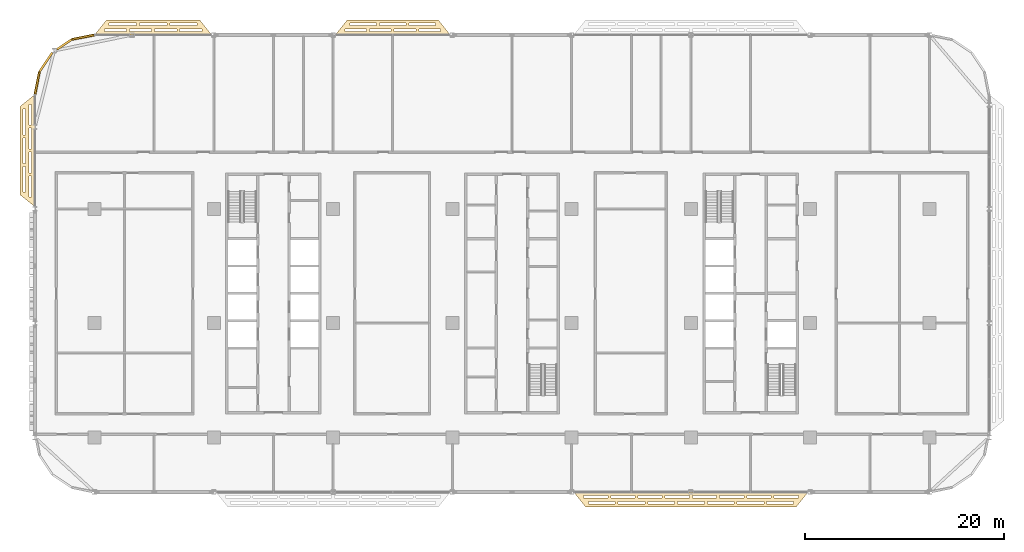
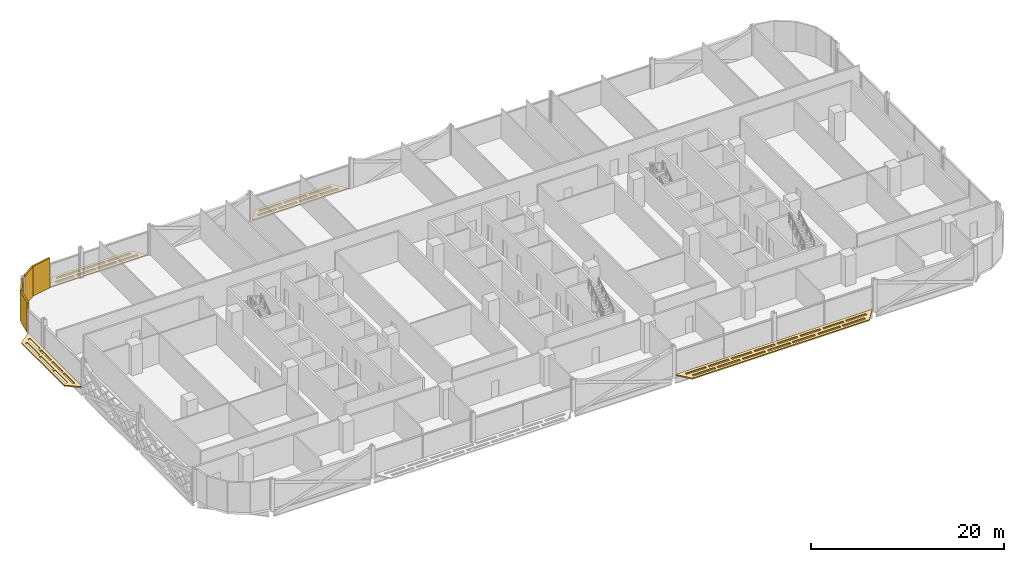
# One storey, part 26 of 28: 8 coverings.
"""IFC4 building model written with IfcOpenShell, lengths in metres."""

import ifcopenshell
import ifcopenshell.guid

model = None  # the IFC model being written
_history = None  # IfcOwnerHistory: only IFC2X3 demands one
_inside = {}  # id of a spatial element -> (the spatial element, [elements in it])
_under = {}  # id of a project, library or spatial element -> (it, [spatial elements below it])
_declared = {}  # id of a project -> (the project, [libraries it declares])
_typed = {}  # id of a type object -> (the type object, [elements of that type])
_made_of = {}  # id of a material, layer set ... -> (it, [elements and type objects made of it])


def new_model(schema):
    """Start an empty IFC model of exactly this schema.

    Asked for "IFC4X3", IfcOpenShell would pick the latest addendum, in which some entities
    have other attributes; the version numbers below select the first issue.
    IFC2X3 requires an IfcOwnerHistory on every rooted entity: one is made here for all.
    """
    global model, _history
    if schema == "IFC4X3":
        model = ifcopenshell.file(schema_version=(4, 3, 0, 0))
    else:
        model = ifcopenshell.file(schema=schema)
    _inside.clear()
    _under.clear()
    _declared.clear()
    _typed.clear()
    _made_of.clear()
    _history = None
    if model.schema == "IFC2X3":
        org = make("IfcOrganization", Name="unknown")
        user = make(
            "IfcPersonAndOrganization",
            ThePerson=make("IfcPerson", FamilyName="unknown"),
            TheOrganization=org,
        )
        app = make(
            "IfcApplication",
            ApplicationDeveloper=org,
            Version="unknown",
            ApplicationFullName="unknown",
            ApplicationIdentifier="unknown",
        )
        _history = make(
            "IfcOwnerHistory",
            OwningUser=user,
            OwningApplication=app,
            ChangeAction="ADDED",
            CreationDate=0,
        )
    return model


def make(cls, **values):
    """One entity of the class cls with the attributes given. An attribute that is None is left unset."""
    return model.create_entity(
        cls, **{name: value for name, value in values.items() if value is not None}
    )


def rooted(cls, **values):
    """An entity with a GlobalId (a new one), such as an element, a storey or a relation."""
    return make(cls, GlobalId=ifcopenshell.guid.new(), OwnerHistory=_history, **values)


def si_unit(unit_type, name, prefix=None):
    """IfcSIUnit, for example si_unit("LENGTHUNIT", "METRE", prefix="MILLI")."""
    return make("IfcSIUnit", UnitType=unit_type, Prefix=prefix, Name=name)


def assignment(units):
    """IfcUnitAssignment: the units of a project."""
    return None if units is None else make("IfcUnitAssignment", Units=units)


def point(xyz):
    """IfcCartesianPoint."""
    return None if xyz is None else make("IfcCartesianPoint", Coordinates=xyz)


def direction(xyz):
    """IfcDirection."""
    return None if xyz is None else make("IfcDirection", DirectionRatios=xyz)


def frame(location, z_axis=None, x_axis=None):
    """IfcAxis2Placement3D, a coordinate frame: its origin and axes. An axis left out is left unset."""
    return make(
        "IfcAxis2Placement3D",
        Location=point(location),
        Axis=direction(z_axis),
        RefDirection=direction(x_axis),
    )


def frame_2d(location, x_axis=None):
    """IfcAxis2Placement2D, a coordinate frame in the plane: its origin and x axis."""
    return make(
        "IfcAxis2Placement2D", Location=point(location), RefDirection=direction(x_axis)
    )


def origin():
    """The frame at (0, 0, 0) with its axes left unset."""
    return frame((0.0, 0.0, 0.0))


def origin_2d():
    """The frame at (0, 0) in the plane with its x axis left unset."""
    return frame_2d((0.0, 0.0))


def place(relative_to, where):
    """IfcLocalPlacement: puts the frame where relative to a parent placement (None: the world)."""
    return make(
        "IfcLocalPlacement", PlacementRelTo=relative_to, RelativePlacement=where
    )


def context(
    kind, dimensions, precision=None, world=None, true_north=None, identifier=None
):
    """IfcGeometricRepresentationContext, for example the 3D "Model" context."""
    return make(
        "IfcGeometricRepresentationContext",
        ContextIdentifier=identifier,
        ContextType=kind,
        CoordinateSpaceDimension=dimensions,
        Precision=precision,
        WorldCoordinateSystem=world,
        TrueNorth=true_north,
    )


def subcontext(parent, identifier, kind, view, scale=None):
    """IfcGeometricRepresentationSubContext, for example "Body" below "Model"."""
    return make(
        "IfcGeometricRepresentationSubContext",
        ContextIdentifier=identifier,
        ContextType=kind,
        ParentContext=parent,
        TargetScale=scale,
        TargetView=view,
    )


def project(units=None, contexts=None):
    """IfcProject with its units and contexts."""
    return rooted(
        "IfcProject",
        Name="project",
        RepresentationContexts=contexts,
        UnitsInContext=assignment(units),
    )


def spatial(cls, under=None, at=None, **own):
    """A site, building, storey or space (cls), placed at a placement, below another one or the project."""
    s = rooted(cls, ObjectPlacement=at, **own)
    if under is not None:
        _under.setdefault(under.id(), (under, []))[1].append(s)
    return s


def polyline(points):
    """IfcPolyline through the points."""
    return make("IfcPolyline", Points=[point(p) for p in points])


def profile(cls, at=None, kind="AREA", **sizes):
    """A parametric profile (cls). Its sizes go by their IFC names, for example OverallWidth=200.0."""
    return make(cls, ProfileType=kind, Position=at, **sizes)


def rectangle(**sizes):
    """IfcRectangleProfileDef."""
    return profile("IfcRectangleProfileDef", **sizes)


def outline(outer, holes=None, kind="AREA"):
    """IfcArbitraryClosedProfileDef: a profile drawn as a closed curve; with holes, ...WithVoids."""
    if holes is None:
        return make("IfcArbitraryClosedProfileDef", ProfileType=kind, OuterCurve=outer)
    return make(
        "IfcArbitraryProfileDefWithVoids",
        ProfileType=kind,
        OuterCurve=outer,
        InnerCurves=holes,
    )


def extrude(swept, where, along, depth):
    """IfcExtrudedAreaSolid: the profile swept, set in the frame where, extruded along a direction by depth."""
    return make(
        "IfcExtrudedAreaSolid",
        SweptArea=swept,
        Position=where,
        ExtrudedDirection=direction(along),
        Depth=depth,
    )


def shape(context_of_items, identifier, shape_type, items):
    """IfcShapeRepresentation: the items that make up one representation, for example the "Body"."""
    return make(
        "IfcShapeRepresentation",
        ContextOfItems=context_of_items,
        RepresentationIdentifier=identifier,
        RepresentationType=shape_type,
        Items=items,
    )


def material(Name=None, Category=None):
    """IfcMaterial."""
    return make("IfcMaterial", Name=Name, Category=Category)


def layer(
    of_material, thickness, ventilated=None, Name=None, Category=None, Priority=None
):
    """IfcMaterialLayer: one layer of a wall or slab, of a material (None: an air gap)."""
    return make(
        "IfcMaterialLayer",
        Material=of_material,
        LayerThickness=thickness,
        IsVentilated=ventilated,
        Name=Name,
        Category=Category,
        Priority=Priority,
    )


def layer_set(layers, Name=None):
    """IfcMaterialLayerSet."""
    return make("IfcMaterialLayerSet", MaterialLayers=layers, LayerSetName=Name)


def made_of(thing, what):
    """Note that an element or type object is made of a material, layer set ...; save() writes the relation."""
    if what is not None:
        _made_of.setdefault(what.id(), (what, []))[1].append(thing)
    return thing


def type_object(cls, material=None, **own):
    """A type object (cls), such as IfcWallType, which elements share."""
    return made_of(rooted(cls, **own), material)


def element(
    cls,
    number,
    at=None,
    inside=None,
    cuts=None,
    type_object=None,
    material=None,
    context=None,
    identifier="Body",
    shape_type=None,
    held_by="IfcProductDefinitionShape",
    body=None,
    shapes=None,
    **own,
):
    """One element of the class cls, such as IfcWall. Its Tag is "e" and its number.

    at: its placement. inside: the storey or other place that contains it. cuts: it is an
    opening in that element (IfcRelVoidsElement). A single representation is given by context,
    identifier, shape_type and body (its items); several are given by shapes. held_by: the class
    of the entity that holds the representations. save() writes the other relations.
    """
    e = rooted(cls, Tag="e%d" % number, ObjectPlacement=at, **own)
    if body is not None:
        shapes = [shape(context, identifier, shape_type, body)]
    if shapes is not None:
        e.Representation = make(held_by, Representations=shapes)
    if inside is not None:
        _inside.setdefault(inside.id(), (inside, []))[1].append(e)
    if cuts is not None:
        rooted(
            "IfcRelVoidsElement", RelatingBuildingElement=cuts, RelatedOpeningElement=e
        )
    if type_object is not None:
        _typed.setdefault(type_object.id(), (type_object, []))[1].append(e)
    return made_of(e, material)


def aggregate(whole, parts):
    """IfcRelAggregates: a whole, such as a stair, and the parts it consists of."""
    return rooted("IfcRelAggregates", RelatingObject=whole, RelatedObjects=parts)


def save(model, path):
    """Write the relations noted so far, then the file.

    IfcRelAggregates (storeys below a building ...), IfcRelContainedInSpatialStructure (elements
    in a storey), IfcRelDefinesByType, IfcRelAssociatesMaterial and IfcRelDeclares: one each for
    every whole, place, type object, material and project.
    """
    for whole, parts in _under.values():
        aggregate(whole, parts)
    for where, things in _inside.values():
        rooted(
            "IfcRelContainedInSpatialStructure",
            RelatedElements=things,
            RelatingStructure=where,
        )
    for kind, things in _typed.values():
        rooted("IfcRelDefinesByType", RelatedObjects=things, RelatingType=kind)
    for what, things in _made_of.values():
        rooted("IfcRelAssociatesMaterial", RelatedObjects=things, RelatingMaterial=what)
    for by, libraries in _declared.values():
        rooted("IfcRelDeclares", RelatingContext=by, RelatedDefinitions=libraries)
    model.write(path)


model = new_model("IFC4")

# Units and contexts
model_context = context("Model", 3, precision=1e-05, world=origin(), true_north=direction((0.0, 1.0)))
body_context = subcontext(model_context, "Body", "Model", "MODEL_VIEW")
ifc_project = project(units=[si_unit("LENGTHUNIT", "METRE"), si_unit("AREAUNIT", "SQUARE_METRE"), si_unit("VOLUMEUNIT", "CUBIC_METRE"), si_unit("PLANEANGLEUNIT", "RADIAN"), si_unit("MASSUNIT", "GRAM", prefix="KILO")], contexts=[model_context])

# Site, building, storey
site_placement = place(None, origin())
site = spatial("IfcSite", under=ifc_project, at=site_placement, CompositionType="ELEMENT")
building_placement = place(site_placement, origin())
building = spatial("IfcBuilding", under=site, at=building_placement, Name="Mahtab Terrace Research Tower", CompositionType="ELEMENT")
storey_placement = place(building_placement, frame((0.0, 0.0, 134.300048828125)))
storey = spatial("IfcBuildingStorey", under=building, at=storey_placement, Name="L31", CompositionType="ELEMENT", Elevation=134.300048828125)

# Coverings
ifc_material_1 = material(Name="Black aluminium cladding panel", Category="aluminium")
ifc_layer_1 = layer(ifc_material_1, 0.199951171875)
ifc_layer_set_1 = layer_set([ifc_layer_1], Name="Black metal corner cladding 200")
covering_type_1 = type_object("IfcCoveringType", Name="Black metal corner cladding 200", PredefinedType="CLADDING", material=ifc_layer_set_1)
covering_1_placement = place(storey_placement, frame((-43.14794921875, 28.771484375, 0.0), z_axis=(0.0, 0.0, 1.0), x_axis=(-0.980760981187, -0.195212442692, 0.0)))
element("IfcCovering", 1, at=covering_1_placement, inside=storey, type_object=covering_type_1, Name="Corner cladding L31 11", PredefinedType="CLADDING", context=body_context, shape_type="SweptSolid", body=[
    extrude(rectangle(XDim=2.30126953125, YDim=0.199951171875, at=origin_2d()), origin(), (0.0, 0.0, 1.0), 3.760009765625),
])
covering_2_placement = place(storey_placement, frame((-45.049560546875, 28.039794921875, 0.0), z_axis=(0.0, 0.0, 1.0), x_axis=(-0.831655794326, -0.555291490808, 0.0)))
element("IfcCovering", 2, at=covering_2_placement, inside=storey, type_object=covering_type_1, Name="Corner cladding L31 12", PredefinedType="CLADDING", context=body_context, shape_type="SweptSolid", body=[
    extrude(rectangle(XDim=1.772216796875, YDim=0.199951171875, at=origin_2d()), origin(), (0.0, 0.0, 1.0), 3.760009765625),
])
for number, where, z_axis, x_axis, name in (
    (3, (-46.89306640625, 26.26953125, 0.0), (0.0, 0.0, 1.0), (-0.555291490808, -0.831655794326, 0.0), "Corner cladding L31 13"),
    (4, (-47.771484375, 24.14794921875, 0.0), (0.0, 0.0, 1.0), (-0.195212442692, -0.980760981187, 0.0), "Corner cladding L31 14"),
):
    element("IfcCovering", number, at=place(storey_placement, frame(where, z_axis=z_axis, x_axis=x_axis)), inside=storey, type_object=covering_type_1, Name=name, PredefinedType="CLADDING", context=body_context, shape_type="SweptSolid", body=[
        extrude(rectangle(XDim=2.30126953125, YDim=0.199951171875, at=origin_2d()), origin(), (0.0, 0.0, 1.0), 3.760009765625),
    ])
ifc_material_2 = material(Name="Black anodised aluminium", Category="aluminium")
ifc_layer_2 = layer(ifc_material_2, 0.14990234375)
ifc_layer_set_2 = layer_set([ifc_layer_2], Name="Horizontal sunshade band")
covering_type_2 = type_object("IfcCoveringType", Name="Horizontal sunshade band", PredefinedType="CLADDING", material=ifc_layer_set_2)
covering_3_placement = place(storey_placement, frame((0.0, 0.0, -0.150146484375)))
element("IfcCovering", 5, at=covering_3_placement, inside=storey, type_object=covering_type_2, Name="Sunshade band L31 7", PredefinedType="CLADDING", context=body_context, shape_type="SweptSolid", body=[
    extrude(outline(polyline([(-6.218017578125, 29.0), (-17.781982421875, 29.0), (-16.58203125, 30.5), (-7.41796875, 30.5), (-6.218017578125, 29.0)]), holes=[polyline([(-7.197998046875, 29.35009765625), (-9.3740234375, 29.35009765625), (-9.3740234375, 29.60009765625), (-7.197998046875, 29.60009765625), (-7.197998046875, 29.35009765625)]), polyline([(-9.674072265625, 29.35009765625), (-11.85009765625, 29.35009765625), (-11.85009765625, 29.60009765625), (-9.674072265625, 29.60009765625), (-9.674072265625, 29.35009765625)]), polyline([(-12.14990234375, 29.35009765625), (-14.325927734375, 29.35009765625), (-14.325927734375, 29.60009765625), (-12.14990234375, 29.60009765625), (-12.14990234375, 29.35009765625)]), polyline([(-14.6259765625, 29.35009765625), (-16.802001953125, 29.35009765625), (-16.802001953125, 29.60009765625), (-14.6259765625, 29.60009765625), (-14.6259765625, 29.35009765625)]), polyline([(-7.677978515625, 29.949951171875), (-10.35888671875, 29.949951171875), (-10.35888671875, 30.199951171875), (-7.677978515625, 30.199951171875), (-7.677978515625, 29.949951171875)]), polyline([(-10.658935546875, 29.949951171875), (-13.341064453125, 29.949951171875), (-13.341064453125, 30.199951171875), (-10.658935546875, 30.199951171875), (-10.658935546875, 29.949951171875)]), polyline([(-13.64111328125, 29.949951171875), (-16.322021484375, 29.949951171875), (-16.322021484375, 30.199951171875), (-13.64111328125, 30.199951171875), (-13.64111328125, 29.949951171875)])]), origin(), (0.0, 0.0, 1.0), 0.150146484375),
])
covering_4_placement = place(storey_placement, frame((0.0, 0.0, -0.150146484375)))
element("IfcCovering", 6, at=covering_4_placement, inside=storey, type_object=covering_type_2, Name="Sunshade band L31 9", PredefinedType="CLADDING", context=body_context, shape_type="SweptSolid", body=[
    extrude(outline(polyline([(-30.218017578125, 29.0), (-42.0, 29.0), (-40.800048828125, 30.5), (-31.41796875, 30.5), (-30.218017578125, 29.0)]), holes=[polyline([(-31.197998046875, 29.35009765625), (-33.427978515625, 29.35009765625), (-33.427978515625, 29.60009765625), (-31.197998046875, 29.60009765625), (-31.197998046875, 29.35009765625)]), polyline([(-33.72900390625, 29.35009765625), (-35.958984375, 29.35009765625), (-35.958984375, 29.60009765625), (-33.72900390625, 29.60009765625), (-33.72900390625, 29.35009765625)]), polyline([(-36.259033203125, 29.35009765625), (-38.489013671875, 29.35009765625), (-38.489013671875, 29.60009765625), (-36.259033203125, 29.60009765625), (-36.259033203125, 29.35009765625)]), polyline([(-38.7900390625, 29.35009765625), (-41.02001953125, 29.35009765625), (-41.02001953125, 29.60009765625), (-38.7900390625, 29.60009765625), (-38.7900390625, 29.35009765625)]), polyline([(-31.677978515625, 29.949951171875), (-34.431884765625, 29.949951171875), (-34.431884765625, 30.199951171875), (-31.677978515625, 30.199951171875), (-31.677978515625, 29.949951171875)]), polyline([(-34.73193359375, 29.949951171875), (-37.486083984375, 29.949951171875), (-37.486083984375, 30.199951171875), (-34.73193359375, 30.199951171875), (-34.73193359375, 29.949951171875)]), polyline([(-37.785888671875, 29.949951171875), (-40.5400390625, 29.949951171875), (-40.5400390625, 30.199951171875), (-37.785888671875, 30.199951171875), (-37.785888671875, 29.949951171875)])]), origin(), (0.0, 0.0, 1.0), 0.150146484375),
])
covering_5_placement = place(storey_placement, frame((0.0, 0.0, -0.150146484375)))
element("IfcCovering", 7, at=covering_5_placement, inside=storey, type_object=covering_type_2, Name="Sunshade band L31 15", PredefinedType="CLADDING", context=body_context, shape_type="SweptSolid", body=[
    extrude(outline(polyline([(-48.0, 23.0), (-48.0, 11.718017578125), (-49.5, 12.91796875), (-49.5, 21.800048828125), (-48.0, 23.0)]), holes=[polyline([(-48.35009765625, 22.02001953125), (-48.35009765625, 19.9150390625), (-48.60009765625, 19.9150390625), (-48.60009765625, 22.02001953125), (-48.35009765625, 22.02001953125)]), polyline([(-48.35009765625, 19.614013671875), (-48.35009765625, 17.509033203125), (-48.60009765625, 17.509033203125), (-48.60009765625, 19.614013671875), (-48.35009765625, 19.614013671875)]), polyline([(-48.35009765625, 17.208984375), (-48.35009765625, 15.10400390625), (-48.60009765625, 15.10400390625), (-48.60009765625, 17.208984375), (-48.35009765625, 17.208984375)]), polyline([(-48.35009765625, 14.803955078125), (-48.35009765625, 12.697998046875), (-48.60009765625, 12.697998046875), (-48.60009765625, 14.803955078125), (-48.35009765625, 14.803955078125)]), polyline([(-48.949951171875, 21.5400390625), (-48.949951171875, 18.952880859375), (-49.199951171875, 18.952880859375), (-49.199951171875, 21.5400390625), (-48.949951171875, 21.5400390625)]), polyline([(-48.949951171875, 18.653076171875), (-48.949951171875, 16.06494140625), (-49.199951171875, 16.06494140625), (-49.199951171875, 18.653076171875), (-48.949951171875, 18.653076171875)]), polyline([(-48.949951171875, 15.764892578125), (-48.949951171875, 13.177978515625), (-49.199951171875, 13.177978515625), (-49.199951171875, 15.764892578125), (-48.949951171875, 15.764892578125)])]), origin(), (0.0, 0.0, 1.0), 0.150146484375),
])
covering_6_placement = place(storey_placement, frame((0.0, 0.0, -0.150146484375)))
element("IfcCovering", 8, at=covering_6_placement, inside=storey, type_object=covering_type_2, Name="Sunshade band L31 28", PredefinedType="CLADDING", context=body_context, shape_type="SweptSolid", body=[
    extrude(outline(polyline([(6.218017578125, -17.0), (29.781982421875, -17.0), (28.58203125, -18.5), (7.41796875, -18.5), (6.218017578125, -17.0)]), holes=[polyline([(7.197998046875, -17.35009765625), (9.635986328125, -17.35009765625), (9.635986328125, -17.60009765625), (7.197998046875, -17.60009765625), (7.197998046875, -17.35009765625)]), polyline([(9.93603515625, -17.35009765625), (12.3740234375, -17.35009765625), (12.3740234375, -17.60009765625), (9.93603515625, -17.60009765625), (9.93603515625, -17.35009765625)]), polyline([(12.674072265625, -17.35009765625), (15.112060546875, -17.35009765625), (15.112060546875, -17.60009765625), (12.674072265625, -17.60009765625), (12.674072265625, -17.35009765625)]), polyline([(15.412109375, -17.35009765625), (17.85009765625, -17.35009765625), (17.85009765625, -17.60009765625), (15.412109375, -17.60009765625), (15.412109375, -17.35009765625)]), polyline([(18.14990234375, -17.35009765625), (20.587890625, -17.35009765625), (20.587890625, -17.60009765625), (18.14990234375, -17.60009765625), (18.14990234375, -17.35009765625)]), polyline([(20.887939453125, -17.35009765625), (23.325927734375, -17.35009765625), (23.325927734375, -17.60009765625), (20.887939453125, -17.60009765625), (20.887939453125, -17.35009765625)]), polyline([(23.6259765625, -17.35009765625), (26.06396484375, -17.35009765625), (26.06396484375, -17.60009765625), (23.6259765625, -17.60009765625), (23.6259765625, -17.35009765625)]), polyline([(26.364013671875, -17.35009765625), (28.802001953125, -17.35009765625), (28.802001953125, -17.60009765625), (26.364013671875, -17.60009765625), (26.364013671875, -17.35009765625)]), polyline([(7.677978515625, -17.949951171875), (10.3701171875, -17.949951171875), (10.3701171875, -18.199951171875), (7.677978515625, -18.199951171875), (7.677978515625, -17.949951171875)]), polyline([(10.669921875, -17.949951171875), (13.362060546875, -17.949951171875), (13.362060546875, -18.199951171875), (10.669921875, -18.199951171875), (10.669921875, -17.949951171875)]), polyline([(13.662109375, -17.949951171875), (16.35400390625, -17.949951171875), (16.35400390625, -18.199951171875), (13.662109375, -18.199951171875), (13.662109375, -17.949951171875)]), polyline([(16.654052734375, -17.949951171875), (19.345947265625, -17.949951171875), (19.345947265625, -18.199951171875), (16.654052734375, -18.199951171875), (16.654052734375, -17.949951171875)]), polyline([(19.64599609375, -17.949951171875), (22.337890625, -17.949951171875), (22.337890625, -18.199951171875), (19.64599609375, -18.199951171875), (19.64599609375, -17.949951171875)]), polyline([(22.637939453125, -17.949951171875), (25.330078125, -17.949951171875), (25.330078125, -18.199951171875), (22.637939453125, -18.199951171875), (22.637939453125, -17.949951171875)]), polyline([(25.6298828125, -17.949951171875), (28.322021484375, -17.949951171875), (28.322021484375, -18.199951171875), (25.6298828125, -18.199951171875), (25.6298828125, -17.949951171875)])]), origin(), (0.0, 0.0, 1.0), 0.150146484375),
])

save(model, "model.ifc")
